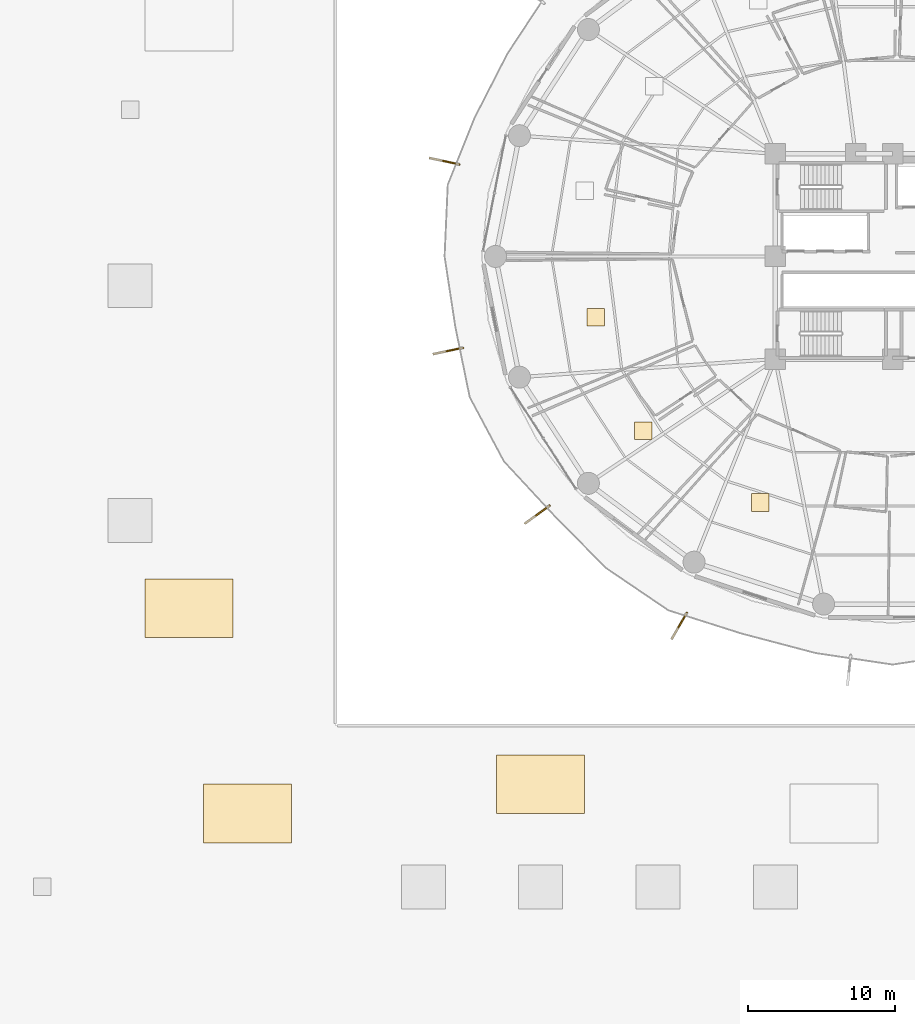
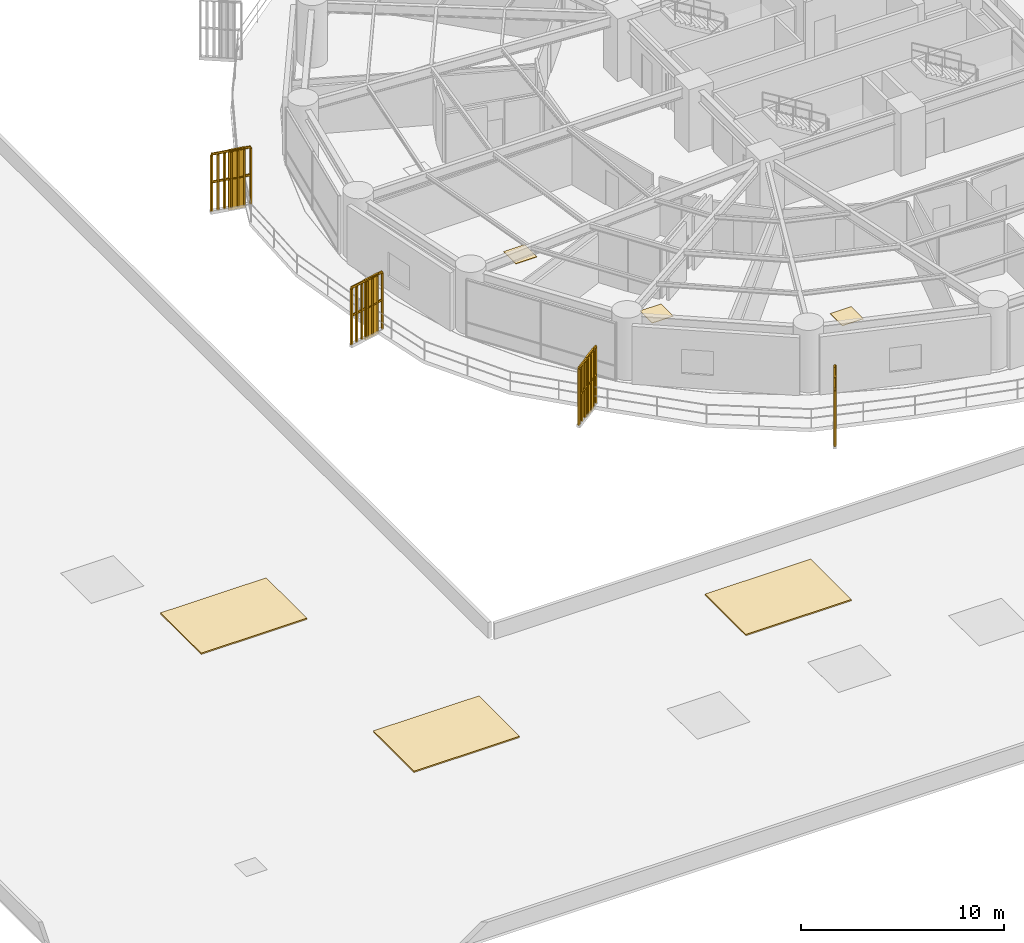
# One storey, part 31 of 35: 6 coverings, 4 railings, 4 shading devices.
"""IFC4 building model written with IfcOpenShell, lengths in metres."""

from ifc_helpers import new_model, si_unit, direction, frame, origin, origin_2d, place, context, subcontext, project, spatial, polyline, rectangle, outline, extrude, source, transform, mapped, material, layer, layer_set, type_object, element, save


model = new_model("IFC4")

# Units and contexts
model_context = context("Model", 3, precision=1e-05, world=origin(), true_north=direction((0.0, 1.0)))
body_context = subcontext(model_context, "Body", "Model", "MODEL_VIEW")
ifc_project = project(units=[si_unit("LENGTHUNIT", "METRE"), si_unit("AREAUNIT", "SQUARE_METRE"), si_unit("VOLUMEUNIT", "CUBIC_METRE"), si_unit("PLANEANGLEUNIT", "RADIAN"), si_unit("MASSUNIT", "GRAM", prefix="KILO")], contexts=[model_context])

# Site, building, storey
site_placement = place(None, origin())
site = spatial("IfcSite", under=ifc_project, at=site_placement, CompositionType="ELEMENT")
building_placement = place(site_placement, origin())
building = spatial("IfcBuilding", under=site, at=building_placement, Name="Kelanora Arch Commons", CompositionType="ELEMENT")
storey_placement = place(building_placement, frame((0.0, 0.0, 22.5)))
storey = spatial("IfcBuildingStorey", under=building, at=storey_placement, Name="L05", CompositionType="ELEMENT", Elevation=22.5)

# Railings
ifc_material_1 = material(Name="Anodised bronze vertical shading fin rib assembly")
railing_type = type_object("IfcRailingType", Name="RAIL-FIN-BRZ", PredefinedType="BALUSTRADE", material=ifc_material_1)
railing_1_placement = place(storey_placement, frame((44.44775390625, 64.281494140625, -0.02001953125)))
element("IfcRailing", 1, at=railing_1_placement, inside=storey, type_object=railing_type, Name="Sweeping Bronze Vertical Fin Blade L05-07", PredefinedType="BALUSTRADE", context=body_context, shape_type="SweptSolid", body=[
    extrude(outline(polyline([(0.06982421875, 0.0), (0.034912109375, 0.060546875), (-0.034912109375, 0.060546875), (-0.06982421875, 0.0), (-0.034912109375, -0.060546875), (0.034912109375, -0.060546875), (0.06982421875, 0.0)])), frame((0.0, 0.0, 3.419921875), z_axis=(-0.978140813308, 0.207943620584, 0.0), x_axis=(-0.207943620584, -0.978140813308, 0.0)), (0.0, 0.0, 1.0), 2.030029296875),
    extrude(outline(polyline([(0.06982421875, 0.0), (0.034912109375, 0.060546875), (-0.034912109375, 0.060546875), (-0.06982421875, 0.0), (-0.034912109375, -0.060546875), (0.034912109375, -0.060546875), (0.06982421875, 0.0)])), frame((0.0, 0.0, 1.7451171875), z_axis=(-0.978140813308, 0.207943620584, 0.0), x_axis=(-0.207943620584, -0.978140813308, 0.0)), (0.0, 0.0, 1.0), 2.030029296875),
    extrude(outline(polyline([(0.080078125, 0.0), (0.0400390625, 0.0693359375), (-0.0400390625, 0.0693359375), (-0.080078125, 0.0), (-0.0400390625, -0.0693359375), (0.0400390625, -0.0693359375), (0.080078125, 0.0)])), origin(), (0.0, 0.0, 1.0), 3.35009765625),
    extrude(outline(polyline([(0.080078125, 0.0), (0.0400390625, 0.0693359375), (-0.0400390625, 0.0693359375), (-0.080078125, 0.0), (-0.0400390625, -0.0693359375), (0.0400390625, -0.0693359375), (0.080078125, 0.0)])), frame((-0.3310546875, 0.0703125, 0.0)), (0.0, 0.0, 1.0), 3.35009765625),
    extrude(outline(polyline([(0.080078125, 0.0), (0.0400390625, 0.0693359375), (-0.0400390625, 0.0693359375), (-0.080078125, 0.0), (-0.0400390625, -0.0693359375), (0.0400390625, -0.0693359375), (0.080078125, 0.0)])), frame((-0.661865234375, 0.140625, 0.0)), (0.0, 0.0, 1.0), 3.35009765625),
    extrude(outline(polyline([(0.080078125, 0.0), (0.0400390625, 0.0693359375), (-0.0400390625, 0.0693359375), (-0.080078125, 0.0), (-0.0400390625, -0.0693359375), (0.0400390625, -0.0693359375), (0.080078125, 0.0)])), frame((-0.99267578125, 0.2109375, 0.0)), (0.0, 0.0, 1.0), 3.35009765625),
    extrude(outline(polyline([(0.080078125, 0.0), (0.0400390625, 0.0693359375), (-0.0400390625, 0.0693359375), (-0.080078125, 0.0), (-0.0400390625, -0.0693359375), (0.0400390625, -0.0693359375), (0.080078125, 0.0)])), frame((-1.32373046875, 0.281494140625, 0.0)), (0.0, 0.0, 1.0), 3.35009765625),
    extrude(outline(polyline([(0.080078125, 0.0), (0.0400390625, 0.0693359375), (-0.0400390625, 0.0693359375), (-0.080078125, 0.0), (-0.0400390625, -0.0693359375), (0.0400390625, -0.0693359375), (0.080078125, 0.0)])), frame((-1.65478515625, 0.351806640625, 0.0)), (0.0, 0.0, 1.0), 3.35009765625),
    extrude(outline(polyline([(0.080078125, 0.0), (0.0400390625, 0.0693359375), (-0.0400390625, 0.0693359375), (-0.080078125, 0.0), (-0.0400390625, -0.0693359375), (0.0400390625, -0.0693359375), (0.080078125, 0.0)])), frame((-1.985595703125, 0.422119140625, 0.0)), (0.0, 0.0, 1.0), 3.35009765625),
])
railing_2_placement = place(storey_placement, frame((44.69140625, 51.770263671875, -0.02001953125)))
element("IfcRailing", 2, at=railing_2_placement, inside=storey, type_object=railing_type, Name="Sweeping Bronze Vertical Fin Blade L05-08", PredefinedType="BALUSTRADE", context=body_context, shape_type="SweptSolid", body=[
    extrude(outline(polyline([(0.06982421875, 0.0), (0.034912109375, 0.060546875), (-0.034912109375, 0.060546875), (-0.06982421875, 0.0), (-0.034912109375, -0.060546875), (0.034912109375, -0.060546875), (0.06982421875, 0.0)])), frame((0.0, 0.0, 3.419921875), z_axis=(-0.978140813308, -0.207943620584, 0.0), x_axis=(0.207943620584, -0.978140813308, 0.0)), (0.0, 0.0, 1.0), 2.030029296875),
    extrude(outline(polyline([(0.06982421875, 0.0), (0.034912109375, 0.060546875), (-0.034912109375, 0.060546875), (-0.06982421875, 0.0), (-0.034912109375, -0.060546875), (0.034912109375, -0.060546875), (0.06982421875, 0.0)])), frame((0.0, 0.0, 1.7451171875), z_axis=(-0.978140813308, -0.207943620584, 0.0), x_axis=(0.207943620584, -0.978140813308, 0.0)), (0.0, 0.0, 1.0), 2.030029296875),
    extrude(outline(polyline([(0.080078125, 0.0), (0.0400390625, 0.0693359375), (-0.0400390625, 0.0693359375), (-0.080078125, 0.0), (-0.0400390625, -0.0693359375), (0.0400390625, -0.0693359375), (0.080078125, 0.0)])), origin(), (0.0, 0.0, 1.0), 3.35009765625),
    extrude(outline(polyline([(0.080078125, 0.0), (0.0400390625, 0.0693359375), (-0.0400390625, 0.0693359375), (-0.080078125, 0.0), (-0.0400390625, -0.0693359375), (0.0400390625, -0.0693359375), (0.080078125, 0.0)])), frame((-0.3310546875, -0.0703125, 0.0)), (0.0, 0.0, 1.0), 3.35009765625),
    extrude(outline(polyline([(0.080078125, 0.0), (0.0400390625, 0.0693359375), (-0.0400390625, 0.0693359375), (-0.080078125, 0.0), (-0.0400390625, -0.0693359375), (0.0400390625, -0.0693359375), (0.080078125, 0.0)])), frame((-0.661865234375, -0.140625, 0.0)), (0.0, 0.0, 1.0), 3.35009765625),
    extrude(outline(polyline([(0.080078125, 0.0), (0.0400390625, 0.0693359375), (-0.0400390625, 0.0693359375), (-0.080078125, 0.0), (-0.0400390625, -0.0693359375), (0.0400390625, -0.0693359375), (0.080078125, 0.0)])), frame((-0.99267578125, -0.2109375, 0.0)), (0.0, 0.0, 1.0), 3.35009765625),
    extrude(outline(polyline([(0.080078125, 0.0), (0.0400390625, 0.0693359375), (-0.0400390625, 0.0693359375), (-0.080078125, 0.0), (-0.0400390625, -0.0693359375), (0.0400390625, -0.0693359375), (0.080078125, 0.0)])), frame((-1.32373046875, -0.281494140625, 0.0)), (0.0, 0.0, 1.0), 3.35009765625),
    extrude(outline(polyline([(0.080078125, 0.0), (0.0400390625, 0.0693359375), (-0.0400390625, 0.0693359375), (-0.080078125, 0.0), (-0.0400390625, -0.0693359375), (0.0400390625, -0.0693359375), (0.080078125, 0.0)])), frame((-1.65478515625, -0.351806640625, 0.0)), (0.0, 0.0, 1.0), 3.35009765625),
    extrude(outline(polyline([(0.080078125, 0.0), (0.0400390625, 0.0693359375), (-0.0400390625, 0.0693359375), (-0.080078125, 0.0), (-0.0400390625, -0.0693359375), (0.0400390625, -0.0693359375), (0.080078125, 0.0)])), frame((-1.985595703125, -0.422119140625, 0.0)), (0.0, 0.0, 1.0), 3.35009765625),
])
railing_3_placement = place(storey_placement, frame((50.597900390625, 40.99755859375, -0.02001953125)))
element("IfcRailing", 3, at=railing_3_placement, inside=storey, type_object=railing_type, Name="Sweeping Bronze Vertical Fin Blade L05-09", PredefinedType="BALUSTRADE", context=body_context, shape_type="SweptSolid", body=[
    extrude(outline(polyline([(0.06982421875, 0.0), (0.034912109375, 0.060546875), (-0.034912109375, 0.060546875), (-0.06982421875, 0.0), (-0.034912109375, -0.060546875), (0.034912109375, -0.060546875), (0.06982421875, 0.0)])), frame((0.0, 0.0, 3.419921875), z_axis=(-0.80894407038, -0.587885610469, 0.0), x_axis=(0.587885610469, -0.80894407038, 0.0)), (0.0, 0.0, 1.0), 2.030029296875),
    extrude(outline(polyline([(0.06982421875, 0.0), (0.034912109375, 0.060546875), (-0.034912109375, 0.060546875), (-0.06982421875, 0.0), (-0.034912109375, -0.060546875), (0.034912109375, -0.060546875), (0.06982421875, 0.0)])), frame((0.0, 0.0, 1.7451171875), z_axis=(-0.80894407038, -0.587885610469, 0.0), x_axis=(0.587885610469, -0.80894407038, 0.0)), (0.0, 0.0, 1.0), 2.030029296875),
    extrude(outline(polyline([(0.080078125, 0.0), (0.0400390625, 0.0693359375), (-0.0400390625, 0.0693359375), (-0.080078125, 0.0), (-0.0400390625, -0.0693359375), (0.0400390625, -0.0693359375), (0.080078125, 0.0)])), origin(), (0.0, 0.0, 1.0), 3.35009765625),
    extrude(outline(polyline([(0.080078125, 0.0), (0.0400390625, 0.0693359375), (-0.0400390625, 0.0693359375), (-0.080078125, 0.0), (-0.0400390625, -0.0693359375), (0.0400390625, -0.0693359375), (0.080078125, 0.0)])), frame((-0.273681640625, -0.198974609375, 0.0)), (0.0, 0.0, 1.0), 3.35009765625),
    extrude(outline(polyline([(0.080078125, 0.0), (0.0400390625, 0.0693359375), (-0.0400390625, 0.0693359375), (-0.080078125, 0.0), (-0.0400390625, -0.0693359375), (0.0400390625, -0.0693359375), (0.080078125, 0.0)])), frame((-0.54736328125, -0.397705078125, 0.0)), (0.0, 0.0, 1.0), 3.35009765625),
    extrude(outline(polyline([(0.080078125, 0.0), (0.0400390625, 0.0693359375), (-0.0400390625, 0.0693359375), (-0.080078125, 0.0), (-0.0400390625, -0.0693359375), (0.0400390625, -0.0693359375), (0.080078125, 0.0)])), frame((-0.821044921875, -0.5966796875, 0.0)), (0.0, 0.0, 1.0), 3.35009765625),
    extrude(outline(polyline([(0.080078125, 0.0), (0.0400390625, 0.0693359375), (-0.0400390625, 0.0693359375), (-0.080078125, 0.0), (-0.0400390625, -0.0693359375), (0.0400390625, -0.0693359375), (0.080078125, 0.0)])), frame((-1.0947265625, -0.795654296875, 0.0)), (0.0, 0.0, 1.0), 3.35009765625),
    extrude(outline(polyline([(0.080078125, 0.0), (0.0400390625, 0.0693359375), (-0.0400390625, 0.0693359375), (-0.080078125, 0.0), (-0.0400390625, -0.0693359375), (0.0400390625, -0.0693359375), (0.080078125, 0.0)])), frame((-1.368408203125, -0.994384765625, 0.0)), (0.0, 0.0, 1.0), 3.35009765625),
    extrude(outline(polyline([(0.080078125, 0.0), (0.0400390625, 0.0693359375), (-0.0400390625, 0.0693359375), (-0.080078125, 0.0), (-0.0400390625, -0.0693359375), (0.0400390625, -0.0693359375), (0.080078125, 0.0)])), frame((-1.64208984375, -1.193359375, 0.0)), (0.0, 0.0, 1.0), 3.35009765625),
])
railing_4_placement = place(storey_placement, frame((59.962890625, 33.687255859375, -0.02001953125)))
element("IfcRailing", 4, at=railing_4_placement, inside=storey, type_object=railing_type, Name="Sweeping Bronze Vertical Fin Blade L05-10", PredefinedType="BALUSTRADE", context=body_context, shape_type="SweptSolid", body=[
    extrude(outline(polyline([(0.06982421875, 0.0), (0.034912109375, 0.060546875), (-0.034912109375, 0.060546875), (-0.06982421875, 0.0), (-0.034912109375, -0.060546875), (0.034912109375, -0.060546875), (0.06982421875, 0.0)])), frame((0.0, 0.0, 3.419921875), z_axis=(-0.499954962928, -0.866051404389, 0.0), x_axis=(0.866051404389, -0.499954962928, 0.0)), (0.0, 0.0, 1.0), 2.030029296875),
    extrude(outline(polyline([(0.06982421875, 0.0), (0.034912109375, 0.060546875), (-0.034912109375, 0.060546875), (-0.06982421875, 0.0), (-0.034912109375, -0.060546875), (0.034912109375, -0.060546875), (0.06982421875, 0.0)])), frame((0.0, 0.0, 1.7451171875), z_axis=(-0.499954962928, -0.866051404389, 0.0), x_axis=(0.866051404389, -0.499954962928, 0.0)), (0.0, 0.0, 1.0), 2.030029296875),
    extrude(outline(polyline([(0.080078125, 0.0), (0.0400390625, 0.0693359375), (-0.0400390625, 0.0693359375), (-0.080078125, 0.0), (-0.0400390625, -0.0693359375), (0.0400390625, -0.0693359375), (0.080078125, 0.0)])), origin(), (0.0, 0.0, 1.0), 3.35009765625),
    extrude(outline(polyline([(0.080078125, 0.0), (0.0400390625, 0.0693359375), (-0.0400390625, 0.0693359375), (-0.080078125, 0.0), (-0.0400390625, -0.0693359375), (0.0400390625, -0.0693359375), (0.080078125, 0.0)])), frame((-0.169189453125, -0.29296875, 0.0)), (0.0, 0.0, 1.0), 3.35009765625),
    extrude(outline(polyline([(0.080078125, 0.0), (0.0400390625, 0.0693359375), (-0.0400390625, 0.0693359375), (-0.080078125, 0.0), (-0.0400390625, -0.0693359375), (0.0400390625, -0.0693359375), (0.080078125, 0.0)])), frame((-0.33837890625, -0.5859375, 0.0)), (0.0, 0.0, 1.0), 3.35009765625),
    extrude(outline(polyline([(0.080078125, 0.0), (0.0400390625, 0.0693359375), (-0.0400390625, 0.0693359375), (-0.080078125, 0.0), (-0.0400390625, -0.0693359375), (0.0400390625, -0.0693359375), (0.080078125, 0.0)])), frame((-0.50732421875, -0.87890625, 0.0)), (0.0, 0.0, 1.0), 3.35009765625),
    extrude(outline(polyline([(0.080078125, 0.0), (0.0400390625, 0.0693359375), (-0.0400390625, 0.0693359375), (-0.080078125, 0.0), (-0.0400390625, -0.0693359375), (0.0400390625, -0.0693359375), (0.080078125, 0.0)])), frame((-0.676513671875, -1.172119140625, 0.0)), (0.0, 0.0, 1.0), 3.35009765625),
    extrude(outline(polyline([(0.080078125, 0.0), (0.0400390625, 0.0693359375), (-0.0400390625, 0.0693359375), (-0.080078125, 0.0), (-0.0400390625, -0.0693359375), (0.0400390625, -0.0693359375), (0.080078125, 0.0)])), frame((-0.845703125, -1.465087890625, 0.0)), (0.0, 0.0, 1.0), 3.35009765625),
    extrude(outline(polyline([(0.080078125, 0.0), (0.0400390625, 0.0693359375), (-0.0400390625, 0.0693359375), (-0.080078125, 0.0), (-0.0400390625, -0.0693359375), (0.0400390625, -0.0693359375), (0.080078125, 0.0)])), frame((-1.014892578125, -1.758056640625, 0.0)), (0.0, 0.0, 1.0), 3.35009765625),
])

# Shading devices
ifc_material_2 = material(Name="Terracotta ceramic-clad extruded aluminium fin", Category="masonry")
shading_device_type = type_object("IfcShadingDeviceType", Name="SHD-FIN-FLARE", PredefinedType="USERDEFINED", material=ifc_material_2)
shared_shape_1 = source(origin(), body_context, "Body", "SweptSolid", [
    extrude(rectangle(XDim=0.8798828125, YDim=0.090087890625, at=origin_2d()), origin(), (0.0, 0.0, 1.0), 3.610107421875),
])
for number, where, z_axis, x_axis, name in (
    (5, (43.74365234375, 64.43115234375, -0.14013671875), (0.0, 0.0, 1.0), (-0.978147600734, 0.207911690818, 0.0), "Sweeping Terracotta Fin L05-07"),
    (6, (43.9873046875, 51.62060546875, -0.14013671875), (0.0, 0.0, 1.0), (-0.978147600734, -0.207911690818, 0.0), "Sweeping Terracotta Fin L05-08"),
    (7, (50.015380859375, 40.57421875, -0.14013671875), (0.0, 0.0, 1.0), (-0.809016994375, -0.587785252292, 0.0), "Sweeping Terracotta Fin L05-09"),
    (8, (59.60302734375, 33.063720703125, -0.14013671875), (0.0, 0.0, 1.0), (-0.5, -0.866025403784, 0.0), "Sweeping Terracotta Fin L05-10"),
):
    element("IfcShadingDevice", number, at=place(storey_placement, frame(where, z_axis=z_axis, x_axis=x_axis)), inside=storey, type_object=shading_device_type, Name=name, ObjectType="FIN", PredefinedType="USERDEFINED", context=body_context, shape_type="MappedRepresentation", body=[
        mapped(shared_shape_1, transform((0.0, 0.0, 0.0), scale=1.0)),
    ])

# Coverings
ifc_material_3 = material(Name="Insulated standing-seam terracotta-bronze metal roofing", Category="masonry")
ifc_layer_1 = layer(ifc_material_3, 0.080078125)
ifc_layer_set_1 = layer_set([ifc_layer_1], Name="Insulated standing-seam terracotta-bronze metal roofing")
covering_type_1 = type_object("IfcCoveringType", Name="COV-ROOF-MEM", PredefinedType="ROOFING", material=ifc_layer_set_1)
shared_shape_2 = source(origin(), body_context, "Body", "SweptSolid", [
    extrude(rectangle(XDim=6.0, YDim=4.0, at=origin_2d()), origin(), (0.0, 0.0, 1.0), 0.080078125),
])
for number, where, z_axis, x_axis, name in (
    (9, (30.0, 20.0, 0.0), (0.0, 0.0, 1.0), (1.0, 0.0, 0.0), "Market Hall Standing-Seam Roof Panel 1"),
    (10, (50.0, 22.0, 0.0), (0.0, 0.0, 1.0), (1.0, 0.0, 0.0), "Market Hall Standing-Seam Roof Panel 2"),
    (11, (26.0, 34.0, 0.0), (0.0, 0.0, 1.0), (1.0, 0.0, 0.0), "Market Hall Standing-Seam Roof Panel 5"),
):
    element("IfcCovering", number, at=place(storey_placement, frame(where, z_axis=z_axis, x_axis=x_axis)), inside=storey, type_object=covering_type_1, Name=name, PredefinedType="ROOFING", context=body_context, shape_type="MappedRepresentation", body=[
        mapped(shared_shape_2, transform((0.0, 0.0, 0.0), scale=1.0)),
    ])
ifc_material_4 = material(Name="Polished local granite terrazzo flooring", Category="masonry")
ifc_layer_2 = layer(ifc_material_4, 0.030029296875)
ifc_layer_set_2 = layer_set([ifc_layer_2], Name="Polished local granite terrazzo flooring")
covering_type_2 = type_object("IfcCoveringType", Name="COV-FLR-TER", PredefinedType="FLOORING", material=ifc_layer_set_2)
shared_shape_3 = source(origin(), body_context, "Body", "SweptSolid", [
    extrude(rectangle(XDim=1.199951171875, YDim=1.199951171875, at=origin_2d()), origin(), (0.0, 0.0, 1.0), 0.030029296875),
])
for number, where, z_axis, x_axis, name in (
    (12, (53.742919921875, 53.85498046875, 0.0), (0.0, 0.0, 1.0), (1.0, 0.0, 0.0), "Social Sky Lounge L05-08 Terrazzo Finish"),
    (13, (57.004150390625, 46.097412109375, 0.0), (0.0, 0.0, 1.0), (1.0, 0.0, 0.0), "Co-Living Studio L05-09 Terrazzo Finish"),
    (14, (64.984619140625, 41.21728515625, 0.0), (0.0, 0.0, 1.0), (1.0, 0.0, 0.0), "Quiet Seminar Study Room L05-10 Terrazzo Finish"),
):
    element("IfcCovering", number, at=place(storey_placement, frame(where, z_axis=z_axis, x_axis=x_axis)), inside=storey, type_object=covering_type_2, Name=name, PredefinedType="FLOORING", context=body_context, shape_type="MappedRepresentation", body=[
        mapped(shared_shape_3, transform((0.0, 0.0, 0.0), scale=1.0)),
    ])

save(model, "model.ifc")
